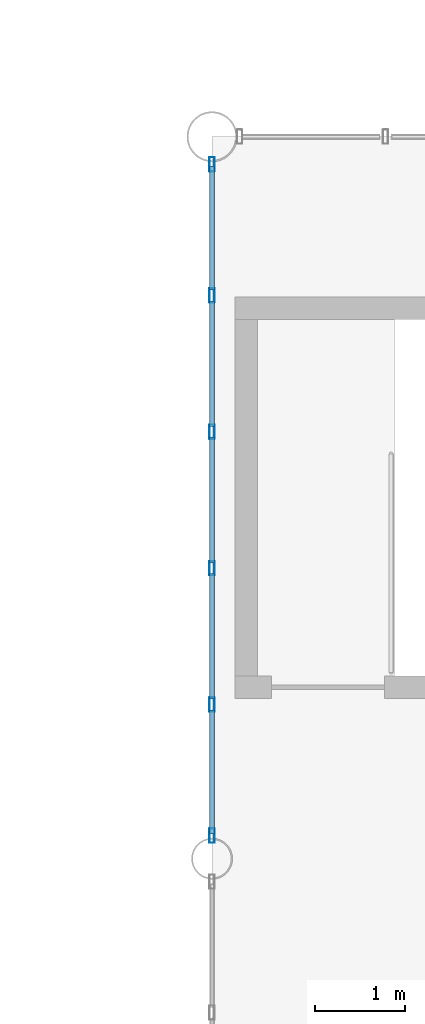
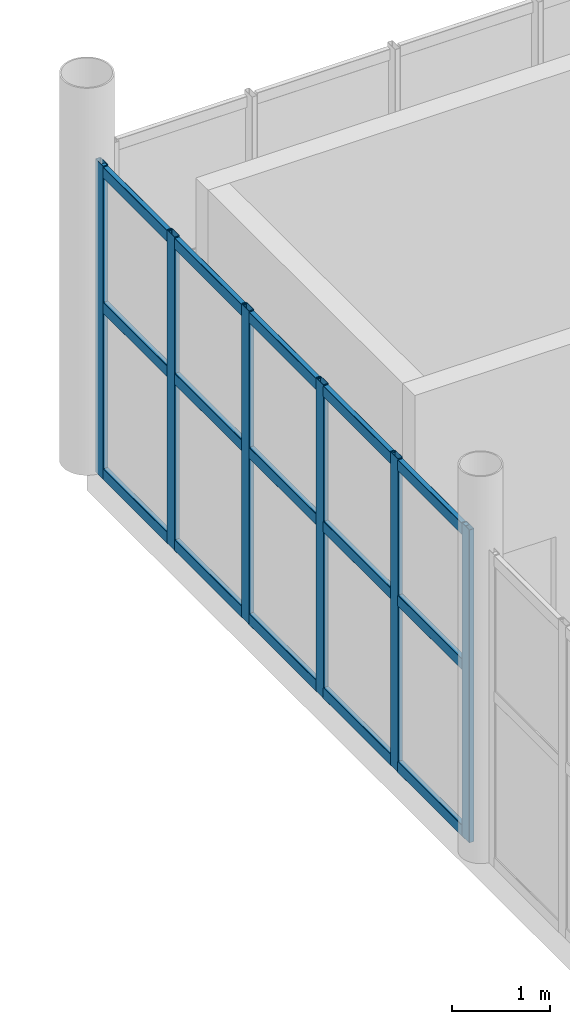
# One storey, part 73 of 178: 21 members, 1 element without a shape of its own.
"""IFC4 building model written with IfcOpenShell, lengths in metres."""

import ifcopenshell
import ifcopenshell.guid

model = None  # the IFC model being written
_history = None  # IfcOwnerHistory: only IFC2X3 demands one
_inside = {}  # id of a spatial element -> (the spatial element, [elements in it])
_under = {}  # id of a project, library or spatial element -> (it, [spatial elements below it])
_declared = {}  # id of a project -> (the project, [libraries it declares])
_typed = {}  # id of a type object -> (the type object, [elements of that type])
_made_of = {}  # id of a material, layer set ... -> (it, [elements and type objects made of it])


def new_model(schema):
    """Start an empty IFC model of exactly this schema.

    Asked for "IFC4X3", IfcOpenShell would pick the latest addendum, in which some entities
    have other attributes; the version numbers below select the first issue.
    IFC2X3 requires an IfcOwnerHistory on every rooted entity: one is made here for all.
    """
    global model, _history
    if schema == "IFC4X3":
        model = ifcopenshell.file(schema_version=(4, 3, 0, 0))
    else:
        model = ifcopenshell.file(schema=schema)
    _inside.clear()
    _under.clear()
    _declared.clear()
    _typed.clear()
    _made_of.clear()
    _history = None
    if model.schema == "IFC2X3":
        org = make("IfcOrganization", Name="unknown")
        user = make(
            "IfcPersonAndOrganization",
            ThePerson=make("IfcPerson", FamilyName="unknown"),
            TheOrganization=org,
        )
        app = make(
            "IfcApplication",
            ApplicationDeveloper=org,
            Version="unknown",
            ApplicationFullName="unknown",
            ApplicationIdentifier="unknown",
        )
        _history = make(
            "IfcOwnerHistory",
            OwningUser=user,
            OwningApplication=app,
            ChangeAction="ADDED",
            CreationDate=0,
        )
    return model


def make(cls, **values):
    """One entity of the class cls with the attributes given. An attribute that is None is left unset."""
    return model.create_entity(
        cls, **{name: value for name, value in values.items() if value is not None}
    )


def rooted(cls, **values):
    """An entity with a GlobalId (a new one), such as an element, a storey or a relation."""
    return make(cls, GlobalId=ifcopenshell.guid.new(), OwnerHistory=_history, **values)


def si_unit(unit_type, name, prefix=None):
    """IfcSIUnit, for example si_unit("LENGTHUNIT", "METRE", prefix="MILLI")."""
    return make("IfcSIUnit", UnitType=unit_type, Prefix=prefix, Name=name)


def derived_unit(unit_type, elements):
    """IfcDerivedUnit: a product of units, each with its exponent."""
    return make(
        "IfcDerivedUnit",
        Elements=[
            make("IfcDerivedUnitElement", Unit=unit, Exponent=power)
            for unit, power in elements
        ],
        UnitType=unit_type,
    )


def assignment(units):
    """IfcUnitAssignment: the units of a project."""
    return None if units is None else make("IfcUnitAssignment", Units=units)


def point(xyz):
    """IfcCartesianPoint."""
    return None if xyz is None else make("IfcCartesianPoint", Coordinates=xyz)


def direction(xyz):
    """IfcDirection."""
    return None if xyz is None else make("IfcDirection", DirectionRatios=xyz)


def frame(location, z_axis=None, x_axis=None):
    """IfcAxis2Placement3D, a coordinate frame: its origin and axes. An axis left out is left unset."""
    return make(
        "IfcAxis2Placement3D",
        Location=point(location),
        Axis=direction(z_axis),
        RefDirection=direction(x_axis),
    )


def frame_2d(location, x_axis=None):
    """IfcAxis2Placement2D, a coordinate frame in the plane: its origin and x axis."""
    return make(
        "IfcAxis2Placement2D", Location=point(location), RefDirection=direction(x_axis)
    )


def origin():
    """The frame at (0, 0, 0) with its axes left unset."""
    return frame((0.0, 0.0, 0.0))


def origin_2d():
    """The frame at (0, 0) in the plane with its x axis left unset."""
    return frame_2d((0.0, 0.0))


def place(relative_to, where):
    """IfcLocalPlacement: puts the frame where relative to a parent placement (None: the world)."""
    return make(
        "IfcLocalPlacement", PlacementRelTo=relative_to, RelativePlacement=where
    )


def context(
    kind, dimensions, precision=None, world=None, true_north=None, identifier=None
):
    """IfcGeometricRepresentationContext, for example the 3D "Model" context."""
    return make(
        "IfcGeometricRepresentationContext",
        ContextIdentifier=identifier,
        ContextType=kind,
        CoordinateSpaceDimension=dimensions,
        Precision=precision,
        WorldCoordinateSystem=world,
        TrueNorth=true_north,
    )


def subcontext(parent, identifier, kind, view, scale=None):
    """IfcGeometricRepresentationSubContext, for example "Body" below "Model"."""
    return make(
        "IfcGeometricRepresentationSubContext",
        ContextIdentifier=identifier,
        ContextType=kind,
        ParentContext=parent,
        TargetScale=scale,
        TargetView=view,
    )


def project(units=None, contexts=None):
    """IfcProject with its units and contexts."""
    return rooted(
        "IfcProject",
        Name="project",
        RepresentationContexts=contexts,
        UnitsInContext=assignment(units),
    )


def spatial(cls, under=None, at=None, **own):
    """A site, building, storey or space (cls), placed at a placement, below another one or the project."""
    s = rooted(cls, ObjectPlacement=at, **own)
    if under is not None:
        _under.setdefault(under.id(), (under, []))[1].append(s)
    return s


def profile(cls, at=None, kind="AREA", **sizes):
    """A parametric profile (cls). Its sizes go by their IFC names, for example OverallWidth=200.0."""
    return make(cls, ProfileType=kind, Position=at, **sizes)


def hollow_rectangle(**sizes):
    """IfcRectangleHollowProfileDef."""
    return profile("IfcRectangleHollowProfileDef", **sizes)


def extrude(swept, where, along, depth):
    """IfcExtrudedAreaSolid: the profile swept, set in the frame where, extruded along a direction by depth."""
    return make(
        "IfcExtrudedAreaSolid",
        SweptArea=swept,
        Position=where,
        ExtrudedDirection=direction(along),
        Depth=depth,
    )


def shape(context_of_items, identifier, shape_type, items):
    """IfcShapeRepresentation: the items that make up one representation, for example the "Body"."""
    return make(
        "IfcShapeRepresentation",
        ContextOfItems=context_of_items,
        RepresentationIdentifier=identifier,
        RepresentationType=shape_type,
        Items=items,
    )


def material(Name=None, Category=None):
    """IfcMaterial."""
    return make("IfcMaterial", Name=Name, Category=Category)


def material_profile(
    of_material, cross_section, Name=None, Category=None, Priority=None
):
    """IfcMaterialProfile: a cross section and its material."""
    return make(
        "IfcMaterialProfile",
        Name=Name,
        Material=of_material,
        Profile=cross_section,
        Priority=Priority,
        Category=Category,
    )


def profile_set(profiles, Name=None, composite=None):
    """IfcMaterialProfileSet."""
    return make(
        "IfcMaterialProfileSet",
        Name=Name,
        MaterialProfiles=profiles,
        CompositeProfile=composite,
    )


def made_of(thing, what):
    """Note that an element or type object is made of a material, layer set ...; save() writes the relation."""
    if what is not None:
        _made_of.setdefault(what.id(), (what, []))[1].append(thing)
    return thing


def type_object(cls, material=None, **own):
    """A type object (cls), such as IfcWallType, which elements share."""
    return made_of(rooted(cls, **own), material)


def element(
    cls,
    number,
    at=None,
    inside=None,
    cuts=None,
    type_object=None,
    material=None,
    context=None,
    identifier="Body",
    shape_type=None,
    held_by="IfcProductDefinitionShape",
    body=None,
    shapes=None,
    **own,
):
    """One element of the class cls, such as IfcWall. Its Tag is "e" and its number.

    at: its placement. inside: the storey or other place that contains it. cuts: it is an
    opening in that element (IfcRelVoidsElement). A single representation is given by context,
    identifier, shape_type and body (its items); several are given by shapes. held_by: the class
    of the entity that holds the representations. save() writes the other relations.
    """
    e = rooted(cls, Tag="e%d" % number, ObjectPlacement=at, **own)
    if body is not None:
        shapes = [shape(context, identifier, shape_type, body)]
    if shapes is not None:
        e.Representation = make(held_by, Representations=shapes)
    if inside is not None:
        _inside.setdefault(inside.id(), (inside, []))[1].append(e)
    if cuts is not None:
        rooted(
            "IfcRelVoidsElement", RelatingBuildingElement=cuts, RelatedOpeningElement=e
        )
    if type_object is not None:
        _typed.setdefault(type_object.id(), (type_object, []))[1].append(e)
    return made_of(e, material)


def aggregate(whole, parts):
    """IfcRelAggregates: a whole, such as a stair, and the parts it consists of."""
    return rooted("IfcRelAggregates", RelatingObject=whole, RelatedObjects=parts)


def save(model, path):
    """Write the relations noted so far, then the file.

    IfcRelAggregates (storeys below a building ...), IfcRelContainedInSpatialStructure (elements
    in a storey), IfcRelDefinesByType, IfcRelAssociatesMaterial and IfcRelDeclares: one each for
    every whole, place, type object, material and project.
    """
    for whole, parts in _under.values():
        aggregate(whole, parts)
    for where, things in _inside.values():
        rooted(
            "IfcRelContainedInSpatialStructure",
            RelatedElements=things,
            RelatingStructure=where,
        )
    for kind, things in _typed.values():
        rooted("IfcRelDefinesByType", RelatedObjects=things, RelatingType=kind)
    for what, things in _made_of.values():
        rooted("IfcRelAssociatesMaterial", RelatedObjects=things, RelatingMaterial=what)
    for by, libraries in _declared.values():
        rooted("IfcRelDeclares", RelatingContext=by, RelatedDefinitions=libraries)
    model.write(path)


model = new_model("IFC4")

# Units and contexts
model_context = context("Model", 3, precision=1e-05, world=origin(), true_north=direction((0.0, 1.0)))
body_context = subcontext(model_context, "Body", "Model", "MODEL_VIEW")
ifc_project = project(units=[si_unit("LENGTHUNIT", "METRE"), si_unit("AREAUNIT", "SQUARE_METRE"), si_unit("VOLUMEUNIT", "CUBIC_METRE"), si_unit("PLANEANGLEUNIT", "RADIAN"), si_unit("MASSUNIT", "GRAM", prefix="KILO"), derived_unit("THERMALTRANSMITTANCEUNIT", [(si_unit("MASSUNIT", "GRAM", prefix="KILO"), 1), (si_unit("TIMEUNIT", "SECOND"), -3), (si_unit("THERMODYNAMICTEMPERATUREUNIT", "KELVIN"), -1)])], contexts=[model_context])

# Site, building, storey
site_placement = place(None, origin())
site = spatial("IfcSite", under=ifc_project, at=site_placement, CompositionType="ELEMENT")
building_placement = place(site_placement, origin())
building = spatial("IfcBuilding", under=site, at=building_placement, Name="Zhenchuan Archway Interchange", CompositionType="ELEMENT")
storey_placement = place(building_placement, frame((0.0, 0.0, 5.39990234375)))
storey = spatial("IfcBuildingStorey", under=building, at=storey_placement, Name="L01", CompositionType="ELEMENT", Elevation=5.39990234375)

# Curtain wall, members
ifc_material = material(Name="Anodised Aluminium", Category="aluminium")
curtain_wall_type = type_object("IfcCurtainWallType", Name="CW_UNIT_1", PredefinedType="NOTDEFINED", material=ifc_material)
curtain_wall_placement = place(storey_placement, origin())
curtain_wall = element("IfcCurtainWall", 1, at=curtain_wall_placement, inside=storey, type_object=curtain_wall_type, Name="Unitised curtain wall CW:L01:036", PredefinedType="NOTDEFINED")
ifc_material_profile_1 = material_profile(ifc_material, hollow_rectangle(XDim=0.06005859375, YDim=0.159912109375, WallThickness=0.00390625, InnerFilletRadius=0.00390625, OuterFilletRadius=0.008056640625, at=origin_2d()), Name="ALU 160x60x4")
ifc_profile_set_1 = profile_set([ifc_material_profile_1], Name="Anodised Aluminium")
member_type_1 = type_object("IfcMemberType", Name="CW_MUL_150", PredefinedType="MULLION", material=ifc_profile_set_1)
member_1_placement = place(storey_placement, frame((18.0, 80.255615234375, 0.0), z_axis=(0.0, 0.0, 1.0), x_axis=(1.0, 0.0, 0.0)))
member_1 = element("IfcMember", 2, at=member_1_placement, type_object=member_type_1, Name="CW:L01:036 mullion 0", PredefinedType="MULLION", context=body_context, shape_type="SweptSolid", body=[
    extrude(hollow_rectangle(XDim=0.06005859375, YDim=0.159912109375, WallThickness=0.00390625, InnerFilletRadius=0.00390625, OuterFilletRadius=0.008056640625, at=origin_2d()), origin(), (0.0, 0.0, 1.0), 3.880126953125),
])
member_2_placement = place(storey_placement, frame((18.0, 81.70703125, 0.0), z_axis=(0.0, 0.0, 1.0), x_axis=(1.0, 0.0, 0.0)))
member_2 = element("IfcMember", 3, at=member_2_placement, type_object=member_type_1, Name="CW:L01:036 mullion 1", PredefinedType="MULLION", context=body_context, shape_type="SweptSolid", body=[
    extrude(hollow_rectangle(XDim=0.06005859375, YDim=0.159912109375, WallThickness=0.00390625, InnerFilletRadius=0.00390625, OuterFilletRadius=0.008056640625, at=origin_2d()), origin(), (0.0, 0.0, 1.0), 3.880126953125),
])
member_3_placement = place(storey_placement, frame((18.0, 83.21875, 0.0), z_axis=(0.0, 0.0, 1.0), x_axis=(1.0, 0.0, 0.0)))
member_3 = element("IfcMember", 4, at=member_3_placement, type_object=member_type_1, Name="CW:L01:036 mullion 2", PredefinedType="MULLION", context=body_context, shape_type="SweptSolid", body=[
    extrude(hollow_rectangle(XDim=0.06005859375, YDim=0.159912109375, WallThickness=0.00390625, InnerFilletRadius=0.00390625, OuterFilletRadius=0.008056640625, at=origin_2d()), origin(), (0.0, 0.0, 1.0), 3.880126953125),
])
member_4_placement = place(storey_placement, frame((18.0, 84.730224609375, 0.0), z_axis=(0.0, 0.0, 1.0), x_axis=(1.0, 0.0, 0.0)))
member_4 = element("IfcMember", 5, at=member_4_placement, type_object=member_type_1, Name="CW:L01:036 mullion 3", PredefinedType="MULLION", context=body_context, shape_type="SweptSolid", body=[
    extrude(hollow_rectangle(XDim=0.06005859375, YDim=0.159912109375, WallThickness=0.00390625, InnerFilletRadius=0.00390625, OuterFilletRadius=0.008056640625, at=origin_2d()), origin(), (0.0, 0.0, 1.0), 3.880126953125),
])
member_5_placement = place(storey_placement, frame((18.0, 86.241943359375, 0.0), z_axis=(0.0, 0.0, 1.0), x_axis=(1.0, 0.0, 0.0)))
member_5 = element("IfcMember", 6, at=member_5_placement, type_object=member_type_1, Name="CW:L01:036 mullion 4", PredefinedType="MULLION", context=body_context, shape_type="SweptSolid", body=[
    extrude(hollow_rectangle(XDim=0.06005859375, YDim=0.159912109375, WallThickness=0.00390625, InnerFilletRadius=0.00390625, OuterFilletRadius=0.008056640625, at=origin_2d()), origin(), (0.0, 0.0, 1.0), 3.880126953125),
])
member_6_placement = place(storey_placement, frame((18.0, 87.693603515625, 0.0), z_axis=(0.0, 0.0, 1.0), x_axis=(1.0, 0.0, 0.0)))
member_6 = element("IfcMember", 7, at=member_6_placement, type_object=member_type_1, Name="CW:L01:036 mullion 5", PredefinedType="MULLION", context=body_context, shape_type="SweptSolid", body=[
    extrude(hollow_rectangle(XDim=0.06005859375, YDim=0.159912109375, WallThickness=0.00390625, InnerFilletRadius=0.00390625, OuterFilletRadius=0.008056640625, at=origin_2d()), origin(), (0.0, 0.0, 1.0), 3.880126953125),
])
ifc_material_profile_2 = material_profile(ifc_material, hollow_rectangle(XDim=0.06005859375, YDim=0.139892578125, WallThickness=0.00341796875, InnerFilletRadius=0.00341796875, OuterFilletRadius=0.007080078125, at=origin_2d()), Name="ALU 140x60x3.5")
ifc_profile_set_2 = profile_set([ifc_material_profile_2], Name="Anodised Aluminium")
member_type_2 = type_object("IfcMemberType", Name="CW_TRN_140", PredefinedType="USERDEFINED", material=ifc_profile_set_2)
member_7_placement = place(storey_placement, frame((18.0, 80.275390625, 0.06005859375), z_axis=(0.0, 1.0, 0.0), x_axis=(-1.0, 0.0, 0.0)))
member_7 = element("IfcMember", 8, at=member_7_placement, type_object=member_type_2, Name="CW:L01:036 transom 0-1", ObjectType="TRANSOM", PredefinedType="USERDEFINED", context=body_context, shape_type="SweptSolid", body=[
    extrude(hollow_rectangle(XDim=0.06005859375, YDim=0.139892578125, WallThickness=0.00341796875, InnerFilletRadius=0.00341796875, OuterFilletRadius=0.007080078125, at=origin_2d()), origin(), (0.0, 0.0, 1.0), 1.371826171875),
])
member_8_placement = place(storey_placement, frame((18.0, 80.275390625, 2.123046875), z_axis=(0.0, 1.0, 0.0), x_axis=(-1.0, 0.0, 0.0)))
member_8 = element("IfcMember", 9, at=member_8_placement, type_object=member_type_2, Name="CW:L01:036 transom 0-2", ObjectType="TRANSOM", PredefinedType="USERDEFINED", context=body_context, shape_type="SweptSolid", body=[
    extrude(hollow_rectangle(XDim=0.06005859375, YDim=0.139892578125, WallThickness=0.00341796875, InnerFilletRadius=0.00341796875, OuterFilletRadius=0.007080078125, at=origin_2d()), origin(), (0.0, 0.0, 1.0), 1.371826171875),
])
member_9_placement = place(storey_placement, frame((18.0, 80.275390625, 3.800048828125), z_axis=(0.0, 1.0, 0.0), x_axis=(-1.0, 0.0, 0.0)))
member_9 = element("IfcMember", 10, at=member_9_placement, type_object=member_type_2, Name="CW:L01:036 transom 0-3", ObjectType="TRANSOM", PredefinedType="USERDEFINED", context=body_context, shape_type="SweptSolid", body=[
    extrude(hollow_rectangle(XDim=0.06005859375, YDim=0.139892578125, WallThickness=0.00341796875, InnerFilletRadius=0.00341796875, OuterFilletRadius=0.007080078125, at=origin_2d()), origin(), (0.0, 0.0, 1.0), 1.371826171875),
])
member_10_placement = place(storey_placement, frame((18.0, 81.76708984375, 0.06005859375), z_axis=(0.0, 1.0, 0.0), x_axis=(-1.0, 0.0, 0.0)))
member_10 = element("IfcMember", 11, at=member_10_placement, type_object=member_type_2, Name="CW:L01:036 transom 1-1", ObjectType="TRANSOM", PredefinedType="USERDEFINED", context=body_context, shape_type="SweptSolid", body=[
    extrude(hollow_rectangle(XDim=0.06005859375, YDim=0.139892578125, WallThickness=0.00341796875, InnerFilletRadius=0.00341796875, OuterFilletRadius=0.007080078125, at=origin_2d()), origin(), (0.0, 0.0, 1.0), 1.3916015625),
])
member_11_placement = place(storey_placement, frame((18.0, 81.76708984375, 2.123046875), z_axis=(0.0, 1.0, 0.0), x_axis=(-1.0, 0.0, 0.0)))
member_11 = element("IfcMember", 12, at=member_11_placement, type_object=member_type_2, Name="CW:L01:036 transom 1-2", ObjectType="TRANSOM", PredefinedType="USERDEFINED", context=body_context, shape_type="SweptSolid", body=[
    extrude(hollow_rectangle(XDim=0.06005859375, YDim=0.139892578125, WallThickness=0.00341796875, InnerFilletRadius=0.00341796875, OuterFilletRadius=0.007080078125, at=origin_2d()), origin(), (0.0, 0.0, 1.0), 1.3916015625),
])
member_12_placement = place(storey_placement, frame((18.0, 81.76708984375, 3.800048828125), z_axis=(0.0, 1.0, 0.0), x_axis=(-1.0, 0.0, 0.0)))
member_12 = element("IfcMember", 13, at=member_12_placement, type_object=member_type_2, Name="CW:L01:036 transom 1-3", ObjectType="TRANSOM", PredefinedType="USERDEFINED", context=body_context, shape_type="SweptSolid", body=[
    extrude(hollow_rectangle(XDim=0.06005859375, YDim=0.139892578125, WallThickness=0.00341796875, InnerFilletRadius=0.00341796875, OuterFilletRadius=0.007080078125, at=origin_2d()), origin(), (0.0, 0.0, 1.0), 1.3916015625),
])
member_13_placement = place(storey_placement, frame((18.0, 83.27880859375, 0.06005859375), z_axis=(0.0, 1.0, 0.0), x_axis=(-1.0, 0.0, 0.0)))
member_13 = element("IfcMember", 14, at=member_13_placement, type_object=member_type_2, Name="CW:L01:036 transom 2-1", ObjectType="TRANSOM", PredefinedType="USERDEFINED", context=body_context, shape_type="SweptSolid", body=[
    extrude(hollow_rectangle(XDim=0.06005859375, YDim=0.139892578125, WallThickness=0.00341796875, InnerFilletRadius=0.00341796875, OuterFilletRadius=0.007080078125, at=origin_2d()), origin(), (0.0, 0.0, 1.0), 1.3916015625),
])
member_14_placement = place(storey_placement, frame((18.0, 83.27880859375, 2.123046875), z_axis=(0.0, 1.0, 0.0), x_axis=(-1.0, 0.0, 0.0)))
member_14 = element("IfcMember", 15, at=member_14_placement, type_object=member_type_2, Name="CW:L01:036 transom 2-2", ObjectType="TRANSOM", PredefinedType="USERDEFINED", context=body_context, shape_type="SweptSolid", body=[
    extrude(hollow_rectangle(XDim=0.06005859375, YDim=0.139892578125, WallThickness=0.00341796875, InnerFilletRadius=0.00341796875, OuterFilletRadius=0.007080078125, at=origin_2d()), origin(), (0.0, 0.0, 1.0), 1.3916015625),
])
member_15_placement = place(storey_placement, frame((18.0, 83.27880859375, 3.800048828125), z_axis=(0.0, 1.0, 0.0), x_axis=(-1.0, 0.0, 0.0)))
member_15 = element("IfcMember", 16, at=member_15_placement, type_object=member_type_2, Name="CW:L01:036 transom 2-3", ObjectType="TRANSOM", PredefinedType="USERDEFINED", context=body_context, shape_type="SweptSolid", body=[
    extrude(hollow_rectangle(XDim=0.06005859375, YDim=0.139892578125, WallThickness=0.00341796875, InnerFilletRadius=0.00341796875, OuterFilletRadius=0.007080078125, at=origin_2d()), origin(), (0.0, 0.0, 1.0), 1.3916015625),
])
member_16_placement = place(storey_placement, frame((18.0, 84.790283203125, 0.06005859375), z_axis=(0.0, 1.0, 0.0), x_axis=(-1.0, 0.0, 0.0)))
member_16 = element("IfcMember", 17, at=member_16_placement, type_object=member_type_2, Name="CW:L01:036 transom 3-1", ObjectType="TRANSOM", PredefinedType="USERDEFINED", context=body_context, shape_type="SweptSolid", body=[
    extrude(hollow_rectangle(XDim=0.06005859375, YDim=0.139892578125, WallThickness=0.00341796875, InnerFilletRadius=0.00341796875, OuterFilletRadius=0.007080078125, at=origin_2d()), origin(), (0.0, 0.0, 1.0), 1.3916015625),
])
member_17_placement = place(storey_placement, frame((18.0, 84.790283203125, 2.123046875), z_axis=(0.0, 1.0, 0.0), x_axis=(-1.0, 0.0, 0.0)))
member_17 = element("IfcMember", 18, at=member_17_placement, type_object=member_type_2, Name="CW:L01:036 transom 3-2", ObjectType="TRANSOM", PredefinedType="USERDEFINED", context=body_context, shape_type="SweptSolid", body=[
    extrude(hollow_rectangle(XDim=0.06005859375, YDim=0.139892578125, WallThickness=0.00341796875, InnerFilletRadius=0.00341796875, OuterFilletRadius=0.007080078125, at=origin_2d()), origin(), (0.0, 0.0, 1.0), 1.3916015625),
])
member_18_placement = place(storey_placement, frame((18.0, 84.790283203125, 3.800048828125), z_axis=(0.0, 1.0, 0.0), x_axis=(-1.0, 0.0, 0.0)))
member_18 = element("IfcMember", 19, at=member_18_placement, type_object=member_type_2, Name="CW:L01:036 transom 3-3", ObjectType="TRANSOM", PredefinedType="USERDEFINED", context=body_context, shape_type="SweptSolid", body=[
    extrude(hollow_rectangle(XDim=0.06005859375, YDim=0.139892578125, WallThickness=0.00341796875, InnerFilletRadius=0.00341796875, OuterFilletRadius=0.007080078125, at=origin_2d()), origin(), (0.0, 0.0, 1.0), 1.3916015625),
])
member_19_placement = place(storey_placement, frame((18.0, 86.302001953125, 0.06005859375), z_axis=(0.0, 1.0, 0.0), x_axis=(-1.0, 0.0, 0.0)))
member_19 = element("IfcMember", 20, at=member_19_placement, type_object=member_type_2, Name="CW:L01:036 transom 4-1", ObjectType="TRANSOM", PredefinedType="USERDEFINED", context=body_context, shape_type="SweptSolid", body=[
    extrude(hollow_rectangle(XDim=0.06005859375, YDim=0.139892578125, WallThickness=0.00341796875, InnerFilletRadius=0.00341796875, OuterFilletRadius=0.007080078125, at=origin_2d()), origin(), (0.0, 0.0, 1.0), 1.37158203125),
])
member_20_placement = place(storey_placement, frame((18.0, 86.302001953125, 2.123046875), z_axis=(0.0, 1.0, 0.0), x_axis=(-1.0, 0.0, 0.0)))
member_20 = element("IfcMember", 21, at=member_20_placement, type_object=member_type_2, Name="CW:L01:036 transom 4-2", ObjectType="TRANSOM", PredefinedType="USERDEFINED", context=body_context, shape_type="SweptSolid", body=[
    extrude(hollow_rectangle(XDim=0.06005859375, YDim=0.139892578125, WallThickness=0.00341796875, InnerFilletRadius=0.00341796875, OuterFilletRadius=0.007080078125, at=origin_2d()), origin(), (0.0, 0.0, 1.0), 1.37158203125),
])
member_21_placement = place(storey_placement, frame((18.0, 86.302001953125, 3.800048828125), z_axis=(0.0, 1.0, 0.0), x_axis=(-1.0, 0.0, 0.0)))
member_21 = element("IfcMember", 22, at=member_21_placement, type_object=member_type_2, Name="CW:L01:036 transom 4-3", ObjectType="TRANSOM", PredefinedType="USERDEFINED", context=body_context, shape_type="SweptSolid", body=[
    extrude(hollow_rectangle(XDim=0.06005859375, YDim=0.139892578125, WallThickness=0.00341796875, InnerFilletRadius=0.00341796875, OuterFilletRadius=0.007080078125, at=origin_2d()), origin(), (0.0, 0.0, 1.0), 1.37158203125),
])
aggregate(curtain_wall, [member_1, member_2, member_3, member_4, member_5, member_6, member_7, member_8, member_9, member_10, member_11, member_12, member_13, member_14, member_15, member_16, member_17, member_18, member_19, member_20, member_21])

save(model, "model.ifc")
